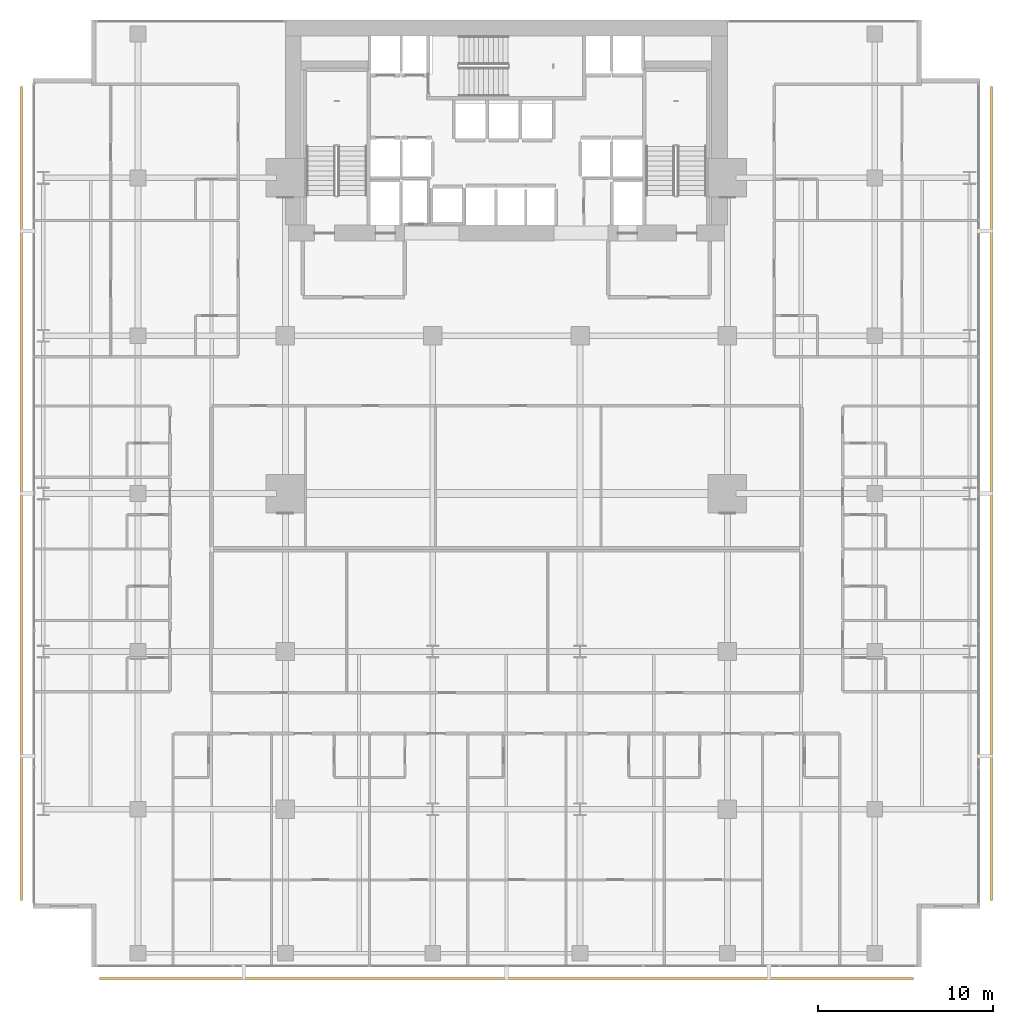
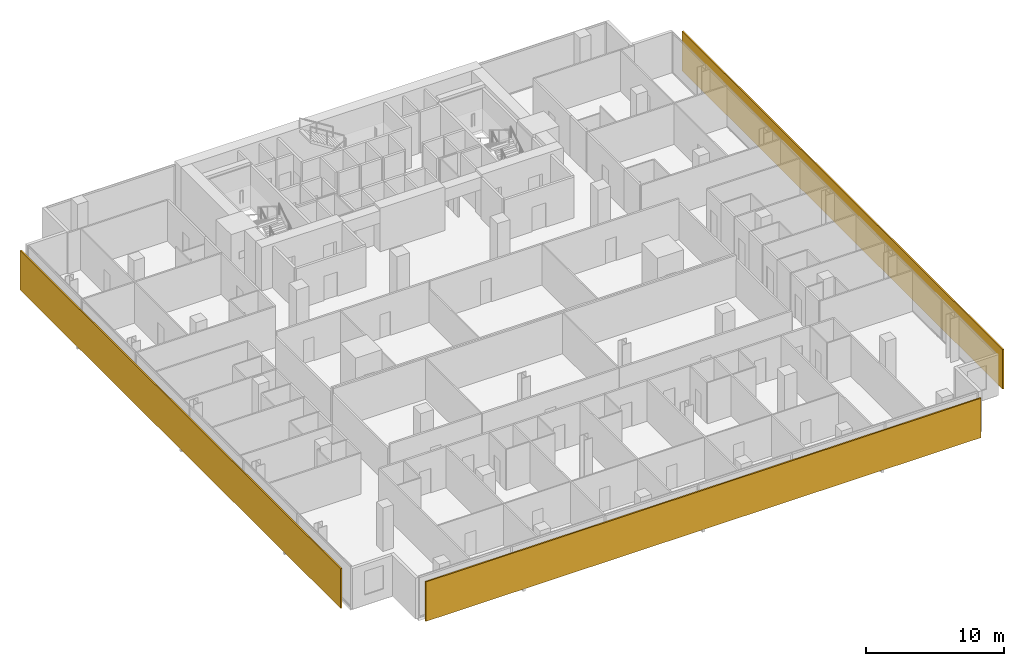
# One storey, part 39 of 40: 3 shading devices.
"""IFC4 building model written with IfcOpenShell, lengths in metres."""

from ifc_helpers import new_model, si_unit, direction, frame, origin, origin_2d, place, context, subcontext, project, spatial, rectangle, extrude, material, layer, layer_set, type_object, element, save


model = new_model("IFC4")

# Units and contexts
model_context = context("Model", 3, precision=1e-05, world=origin(), true_north=direction((0.0, 1.0)))
body_context = subcontext(model_context, "Body", "Model", "MODEL_VIEW")
ifc_project = project(units=[si_unit("LENGTHUNIT", "METRE"), si_unit("AREAUNIT", "SQUARE_METRE"), si_unit("VOLUMEUNIT", "CUBIC_METRE"), si_unit("PLANEANGLEUNIT", "RADIAN"), si_unit("MASSUNIT", "GRAM", prefix="KILO")], contexts=[model_context])

# Site, building, storey
site_placement = place(None, origin())
site = spatial("IfcSite", under=ifc_project, at=site_placement, CompositionType="ELEMENT")
building_placement = place(site_placement, origin())
building = spatial("IfcBuilding", under=site, at=building_placement, Name="Maruvema Waterfront Hotel and Observation Tower", CompositionType="ELEMENT")
storey_placement = place(building_placement, frame((0.0, 0.0, 57.75)))
storey = spatial("IfcBuildingStorey", under=building, at=storey_placement, Name="L13", CompositionType="ELEMENT", Elevation=57.75)

# Shading devices
ifc_material = material(Name="Honed travertine stone and anodised architectural bronze", Category="masonry")
ifc_layer = layer(ifc_material, 0.1201171875, Name="Ventilated Outer Skin Cobogo Stone-and-Bronze Screen 120 mm")
ifc_layer_set = layer_set([ifc_layer], Name="Honed travertine stone and anodised architectural bronze")
shading_device_type = type_object("IfcShadingDeviceType", Name="Ventilated Outer Skin Cobogo Stone-and-Bronze Screen 120 mm", PredefinedType="USERDEFINED", material=ifc_layer_set)
for number, where, z_axis, x_axis, name in (
    (1, (37.800048828125, -0.64990234375, 0.06005859375), (0.0, 0.0, 1.0), (1.0, 0.0, 0.0), "L13 Ventilated Double-Skin Outer Cobogo Screen OS-L13-S"),
    (2, (65.449951171875, 27.0, 0.06005859375), (0.0, 0.0, 1.0), (0.0, 1.0, 0.0), "L13 Ventilated Double-Skin Outer Cobogo Screen OS-L13-E"),
    (3, (10.14990234375, 27.0, 0.06005859375), (0.0, 0.0, 1.0), (0.0, -1.0, 0.0), "L13 Ventilated Double-Skin Outer Cobogo Screen OS-L13-W"),
):
    element("IfcShadingDevice", number, at=place(storey_placement, frame(where, z_axis=z_axis, x_axis=x_axis)), inside=storey, type_object=shading_device_type, Name=name, ObjectType="OUTER SKIN SCREEN", PredefinedType="USERDEFINED", context=body_context, shape_type="SweptSolid", body=[
        extrude(rectangle(XDim=46.39990234375, YDim=0.1201171875, at=origin_2d()), origin(), (0.0, 0.0, 1.0), 3.489990234375),
    ])

save(model, "model.ifc")
